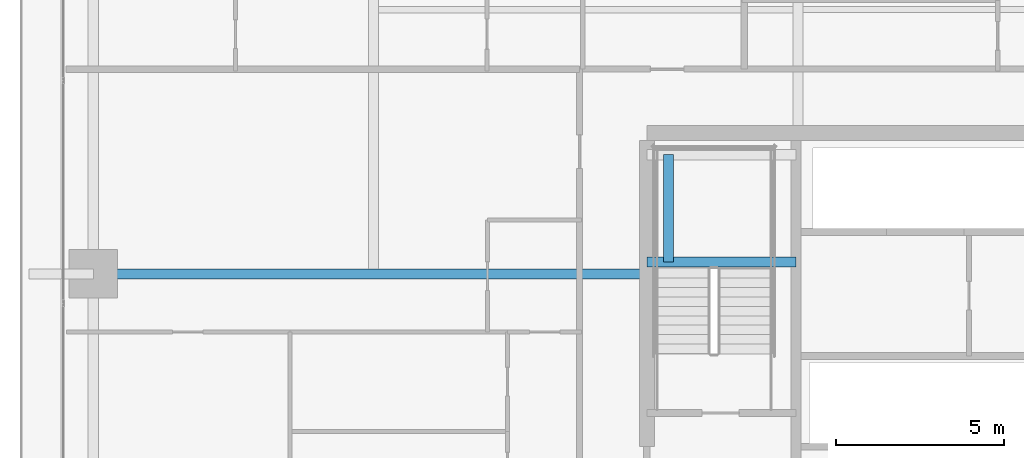
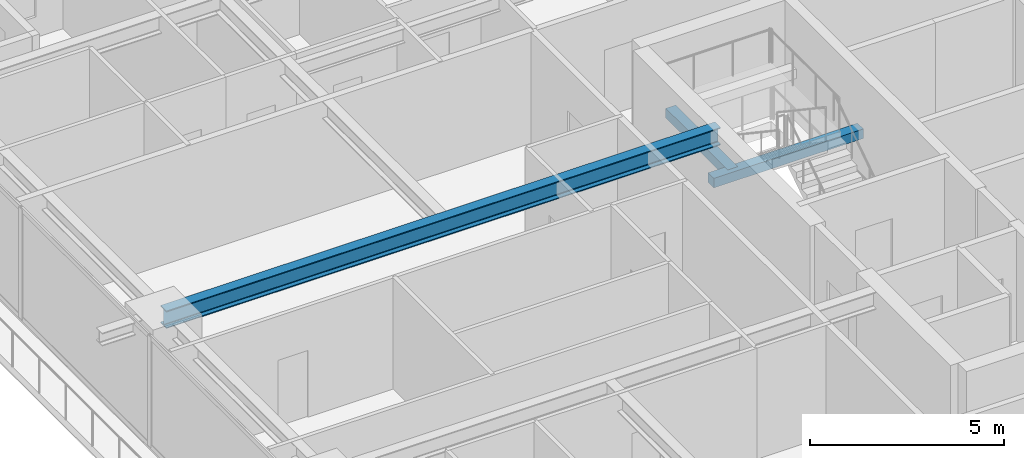
# One storey, part 9 of 37: 3 beams.
"""IFC4 building model written with IfcOpenShell, lengths in metres."""

from ifc_helpers import new_model, si_unit, direction, frame, origin, origin_2d, place, context, subcontext, project, spatial, rectangle, i_section, extrude, source, transform, mapped, material, material_profile, profile_set, type_object, element, save


model = new_model("IFC4")

# Units and contexts
model_context = context("Model", 3, precision=1e-05, world=origin(), true_north=direction((0.0, 1.0)))
body_context = subcontext(model_context, "Body", "Model", "MODEL_VIEW")
ifc_project = project(units=[si_unit("LENGTHUNIT", "METRE"), si_unit("AREAUNIT", "SQUARE_METRE"), si_unit("VOLUMEUNIT", "CUBIC_METRE"), si_unit("PLANEANGLEUNIT", "RADIAN"), si_unit("MASSUNIT", "GRAM", prefix="KILO")], contexts=[model_context])

# Site, building, storey
site_placement = place(None, origin())
site = spatial("IfcSite", under=ifc_project, at=site_placement, CompositionType="ELEMENT")
building_placement = place(site_placement, origin())
building = spatial("IfcBuilding", under=site, at=building_placement, Name="Serunith Strait Residences", CompositionType="ELEMENT")
storey_placement = place(building_placement, frame((0.0, 0.0, 26.699951171875)))
storey = spatial("IfcBuildingStorey", under=building, at=storey_placement, Name="L05", CompositionType="ELEMENT", Elevation=26.699951171875)

# Beams
ifc_material_1 = material(Name="Steel S355J2", Category="steel")
ifc_material_profile_1 = material_profile(ifc_material_1, i_section(OverallWidth=0.300048828125, OverallDepth=0.550048828125, WebThickness=0.014892578125, FlangeThickness=0.029052734375, FilletRadius=0.027099609375, at=origin_2d()), Name="HEB 550")
ifc_profile_set_1 = profile_set([ifc_material_profile_1], Name="Steel S355J2")
beam_type_1 = type_object("IfcBeamType", Name="BM-HEB550", PredefinedType="BEAM", material=ifc_profile_set_1)
shared_shape_1 = source(origin(), body_context, "Body", "SweptSolid", [
    extrude(i_section(OverallWidth=0.300048828125, OverallDepth=0.550048828125, WebThickness=0.014892578125, FlangeThickness=0.029052734375, FilletRadius=0.027099609375, at=origin_2d()), origin(), (0.0, 0.0, 1.0), 16.5),
])
beam_1_placement = place(storey_placement, frame((23.39990234375, 29.39990234375, 3.212158203125), z_axis=(-1.0, 0.0, 0.0), x_axis=(0.0, -1.0, 0.0)))
element("IfcBeam", 1, at=beam_1_placement, inside=storey, type_object=beam_type_1, Name="L05 Primary Floor Girder TC-W3", PredefinedType="BEAM", context=body_context, shape_type="MappedRepresentation", body=[
    mapped(shared_shape_1, transform((0.0, 0.0, 0.0), scale=1.0)),
])
ifc_material_2 = material(Name="Concrete C60/75", Category="concrete")
ifc_material_profile_2 = material_profile(ifc_material_2, rectangle(XDim=0.300048828125, YDim=0.300048828125, at=origin_2d()), Name="RC 300x300")
ifc_profile_set_2 = profile_set([ifc_material_profile_2], Name="Concrete C60/75")
beam_type_2 = type_object("IfcBeamType", Name="BM-LAND-300x300", PredefinedType="BEAM", material=ifc_profile_set_2)
shared_shape_2 = source(origin(), body_context, "Body", "SweptSolid", [
    extrude(rectangle(XDim=0.300048828125, YDim=0.300048828125, at=origin_2d()), origin(), (0.0, 0.0, 1.0), 4.4501953125),
])
beam_2_placement = place(storey_placement, frame((23.39990234375, 29.75, 1.525146484375), z_axis=(1.0, 0.0, 0.0), x_axis=(0.0, 1.0, 0.0)))
element("IfcBeam", 2, at=beam_2_placement, inside=storey, type_object=beam_type_2, Name="L05 ST-1 Landing Support Beam 1", PredefinedType="BEAM", context=body_context, shape_type="MappedRepresentation", body=[
    mapped(shared_shape_2, transform((0.0, 0.0, 0.0), scale=1.0)),
])
shared_shape_3 = source(origin(), body_context, "Body", "SweptSolid", [
    extrude(rectangle(XDim=0.300048828125, YDim=0.300048828125, at=origin_2d()), origin(), (0.0, 0.0, 1.0), 3.199951171875),
])
beam_3_placement = place(storey_placement, frame((24.050048828125, 29.75, 1.525146484375), z_axis=(0.0, 1.0, 0.0), x_axis=(-1.0, 0.0, 0.0)))
element("IfcBeam", 3, at=beam_3_placement, inside=storey, type_object=beam_type_2, Name="L05 ST-1 Landing Transverse Tie Beam", PredefinedType="BEAM", context=body_context, shape_type="MappedRepresentation", body=[
    mapped(shared_shape_3, transform((0.0, 0.0, 0.0), scale=1.0)),
])

save(model, "model.ifc")
